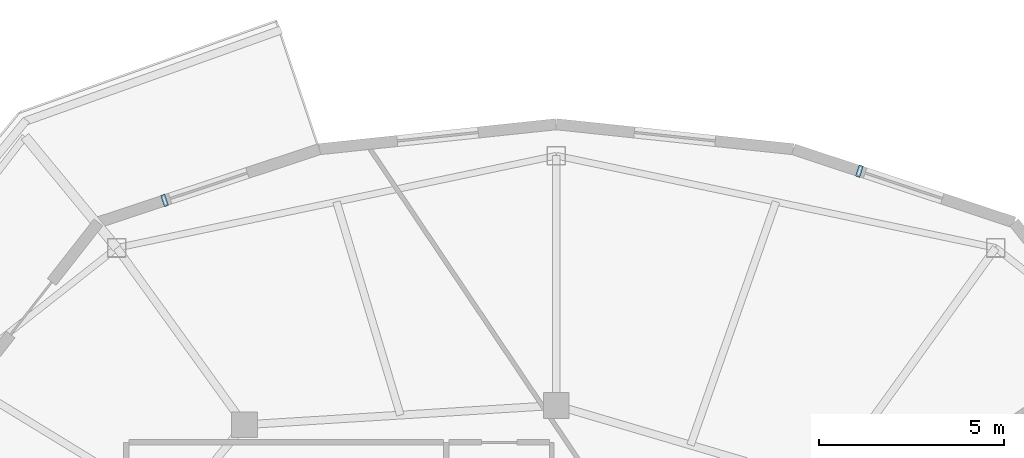
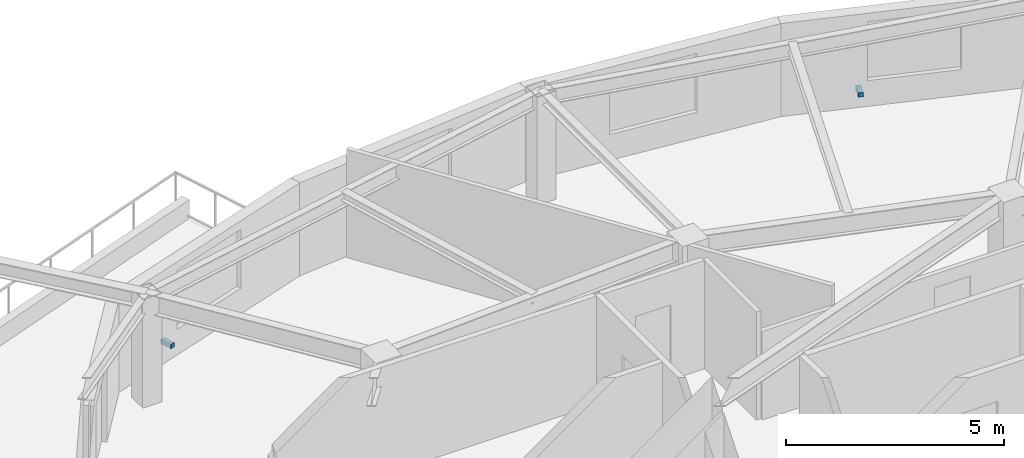
# One storey, part 9 of 14: 2 discrete accessories.
"""IFC4 building model written with IfcOpenShell, lengths in metres."""

from ifc_helpers import new_model, si_unit, direction, frame, origin, origin_2d, place, context, subcontext, project, spatial, rectangle, extrude, material, type_object, element, save


model = new_model("IFC4")

# Units and contexts
model_context = context("Model", 3, precision=1e-05, world=origin(), true_north=direction((0.0, 1.0)))
body_context = subcontext(model_context, "Body", "Model", "MODEL_VIEW")
ifc_project = project(units=[si_unit("LENGTHUNIT", "METRE"), si_unit("AREAUNIT", "SQUARE_METRE"), si_unit("VOLUMEUNIT", "CUBIC_METRE"), si_unit("PLANEANGLEUNIT", "RADIAN"), si_unit("MASSUNIT", "GRAM", prefix="KILO")], contexts=[model_context])

# Site, building, storey
site_placement = place(None, origin())
site = spatial("IfcSite", under=ifc_project, at=site_placement, CompositionType="ELEMENT")
building_placement = place(site_placement, origin())
building = spatial("IfcBuilding", under=site, at=building_placement, Name="Kolvaren Gate Tower and Convention Centre", CompositionType="ELEMENT")
storey_placement = place(building_placement, frame((0.0, 0.0, 222.800048828125)))
storey = spatial("IfcBuildingStorey", under=building, at=storey_placement, Name="L59", CompositionType="ELEMENT", Elevation=222.800048828125)

# Discrete accessories
ifc_material = material(Name="Anodized Architectural Aluminium Alloy 6063-T6", Category="aluminium")
discrete_accessory_type = type_object("IfcDiscreteAccessoryType", Name="ARCH-ACC-BRACKET-120", PredefinedType="BRACKET", material=ifc_material)
for number, where, z_axis, x_axis, name in (
    (1, (38.319091796875, 45.53271484375, 0.289794921875), (0.0, 0.0, 1.0), (0.949241728595, -0.314547517385, 0.0), "Ceramic Fin Wall Anchor Bracket FBK-L59-04"),
    (2, (19.538330078125, 44.739990234375, 0.289794921875), (0.0, 0.0, 1.0), (0.949241728595, 0.314547517385, 0.0), "Ceramic Fin Wall Anchor Bracket FBK-L59-07"),
):
    element("IfcDiscreteAccessory", number, at=place(storey_placement, frame(where, z_axis=z_axis, x_axis=x_axis)), inside=storey, type_object=discrete_accessory_type, Name=name, PredefinedType="BRACKET", context=body_context, shape_type="SweptSolid", body=[
        extrude(rectangle(XDim=0.1201171875, YDim=0.320068359375, at=origin_2d()), origin(), (0.0, 0.0, 1.0), 0.1201171875),
    ])

save(model, "model.ifc")
